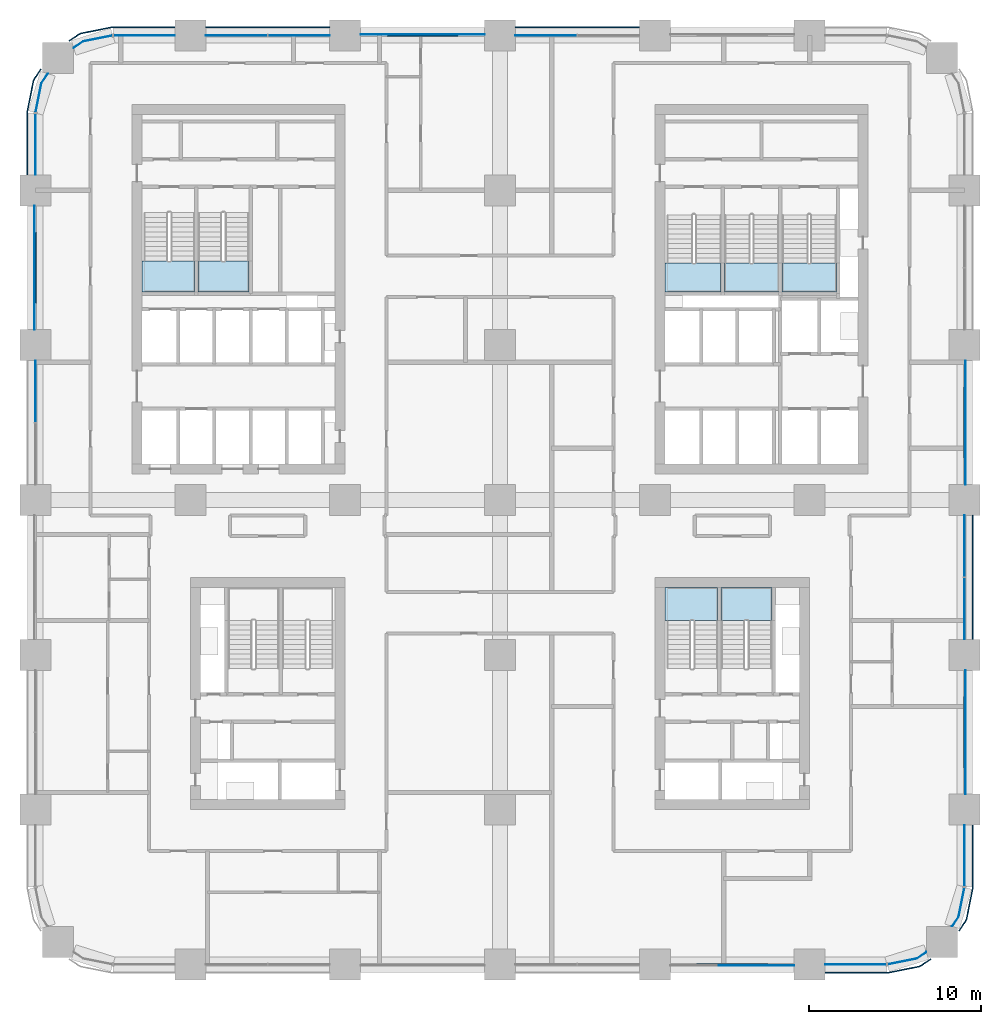
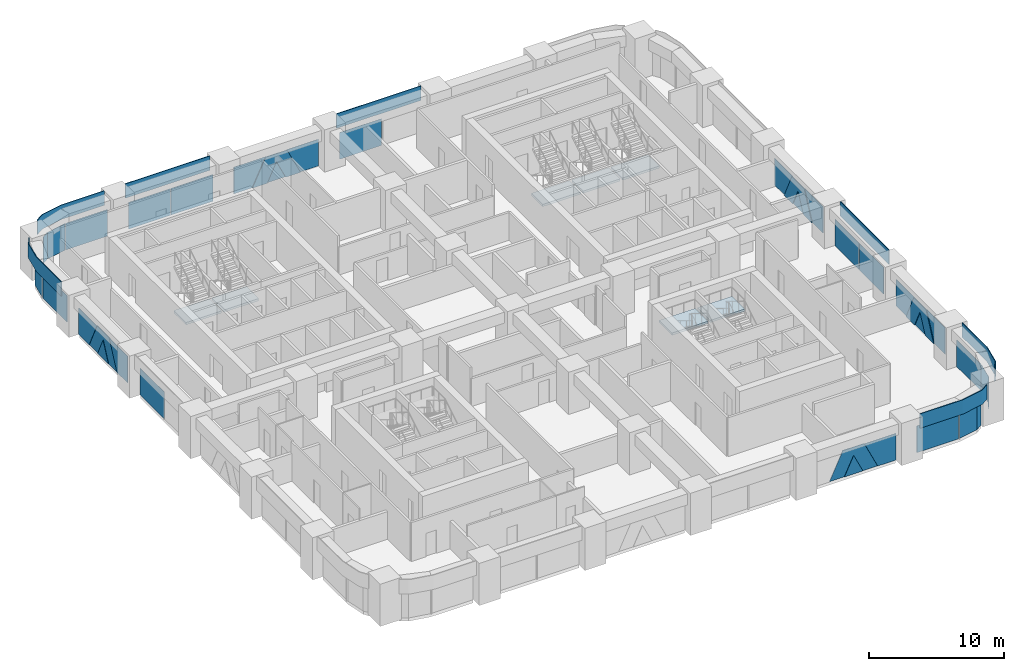
# One storey, part 10 of 21: 40 plates, 7 slabs, 20 elements without a shape of their own.
"""IFC4 building model written with IfcOpenShell, lengths in metres."""

import ifcopenshell
import ifcopenshell.guid

model = None  # the IFC model being written
_history = None  # IfcOwnerHistory: only IFC2X3 demands one
_inside = {}  # id of a spatial element -> (the spatial element, [elements in it])
_under = {}  # id of a project, library or spatial element -> (it, [spatial elements below it])
_declared = {}  # id of a project -> (the project, [libraries it declares])
_typed = {}  # id of a type object -> (the type object, [elements of that type])
_made_of = {}  # id of a material, layer set ... -> (it, [elements and type objects made of it])


def new_model(schema):
    """Start an empty IFC model of exactly this schema.

    Asked for "IFC4X3", IfcOpenShell would pick the latest addendum, in which some entities
    have other attributes; the version numbers below select the first issue.
    IFC2X3 requires an IfcOwnerHistory on every rooted entity: one is made here for all.
    """
    global model, _history
    if schema == "IFC4X3":
        model = ifcopenshell.file(schema_version=(4, 3, 0, 0))
    else:
        model = ifcopenshell.file(schema=schema)
    _inside.clear()
    _under.clear()
    _declared.clear()
    _typed.clear()
    _made_of.clear()
    _history = None
    if model.schema == "IFC2X3":
        org = make("IfcOrganization", Name="unknown")
        user = make(
            "IfcPersonAndOrganization",
            ThePerson=make("IfcPerson", FamilyName="unknown"),
            TheOrganization=org,
        )
        app = make(
            "IfcApplication",
            ApplicationDeveloper=org,
            Version="unknown",
            ApplicationFullName="unknown",
            ApplicationIdentifier="unknown",
        )
        _history = make(
            "IfcOwnerHistory",
            OwningUser=user,
            OwningApplication=app,
            ChangeAction="ADDED",
            CreationDate=0,
        )
    return model


def make(cls, **values):
    """One entity of the class cls with the attributes given. An attribute that is None is left unset."""
    return model.create_entity(
        cls, **{name: value for name, value in values.items() if value is not None}
    )


def rooted(cls, **values):
    """An entity with a GlobalId (a new one), such as an element, a storey or a relation."""
    return make(cls, GlobalId=ifcopenshell.guid.new(), OwnerHistory=_history, **values)


def si_unit(unit_type, name, prefix=None):
    """IfcSIUnit, for example si_unit("LENGTHUNIT", "METRE", prefix="MILLI")."""
    return make("IfcSIUnit", UnitType=unit_type, Prefix=prefix, Name=name)


def assignment(units):
    """IfcUnitAssignment: the units of a project."""
    return None if units is None else make("IfcUnitAssignment", Units=units)


def point(xyz):
    """IfcCartesianPoint."""
    return None if xyz is None else make("IfcCartesianPoint", Coordinates=xyz)


def direction(xyz):
    """IfcDirection."""
    return None if xyz is None else make("IfcDirection", DirectionRatios=xyz)


def frame(location, z_axis=None, x_axis=None):
    """IfcAxis2Placement3D, a coordinate frame: its origin and axes. An axis left out is left unset."""
    return make(
        "IfcAxis2Placement3D",
        Location=point(location),
        Axis=direction(z_axis),
        RefDirection=direction(x_axis),
    )


def frame_2d(location, x_axis=None):
    """IfcAxis2Placement2D, a coordinate frame in the plane: its origin and x axis."""
    return make(
        "IfcAxis2Placement2D", Location=point(location), RefDirection=direction(x_axis)
    )


def origin():
    """The frame at (0, 0, 0) with its axes left unset."""
    return frame((0.0, 0.0, 0.0))


def origin_2d():
    """The frame at (0, 0) in the plane with its x axis left unset."""
    return frame_2d((0.0, 0.0))


def place(relative_to, where):
    """IfcLocalPlacement: puts the frame where relative to a parent placement (None: the world)."""
    return make(
        "IfcLocalPlacement", PlacementRelTo=relative_to, RelativePlacement=where
    )


def context(
    kind, dimensions, precision=None, world=None, true_north=None, identifier=None
):
    """IfcGeometricRepresentationContext, for example the 3D "Model" context."""
    return make(
        "IfcGeometricRepresentationContext",
        ContextIdentifier=identifier,
        ContextType=kind,
        CoordinateSpaceDimension=dimensions,
        Precision=precision,
        WorldCoordinateSystem=world,
        TrueNorth=true_north,
    )


def subcontext(parent, identifier, kind, view, scale=None):
    """IfcGeometricRepresentationSubContext, for example "Body" below "Model"."""
    return make(
        "IfcGeometricRepresentationSubContext",
        ContextIdentifier=identifier,
        ContextType=kind,
        ParentContext=parent,
        TargetScale=scale,
        TargetView=view,
    )


def project(units=None, contexts=None):
    """IfcProject with its units and contexts."""
    return rooted(
        "IfcProject",
        Name="project",
        RepresentationContexts=contexts,
        UnitsInContext=assignment(units),
    )


def spatial(cls, under=None, at=None, **own):
    """A site, building, storey or space (cls), placed at a placement, below another one or the project."""
    s = rooted(cls, ObjectPlacement=at, **own)
    if under is not None:
        _under.setdefault(under.id(), (under, []))[1].append(s)
    return s


def polyline(points):
    """IfcPolyline through the points."""
    return make("IfcPolyline", Points=[point(p) for p in points])


def profile(cls, at=None, kind="AREA", **sizes):
    """A parametric profile (cls). Its sizes go by their IFC names, for example OverallWidth=200.0."""
    return make(cls, ProfileType=kind, Position=at, **sizes)


def rectangle(**sizes):
    """IfcRectangleProfileDef."""
    return profile("IfcRectangleProfileDef", **sizes)


def outline(outer, holes=None, kind="AREA"):
    """IfcArbitraryClosedProfileDef: a profile drawn as a closed curve; with holes, ...WithVoids."""
    if holes is None:
        return make("IfcArbitraryClosedProfileDef", ProfileType=kind, OuterCurve=outer)
    return make(
        "IfcArbitraryProfileDefWithVoids",
        ProfileType=kind,
        OuterCurve=outer,
        InnerCurves=holes,
    )


def extrude(swept, where, along, depth):
    """IfcExtrudedAreaSolid: the profile swept, set in the frame where, extruded along a direction by depth."""
    return make(
        "IfcExtrudedAreaSolid",
        SweptArea=swept,
        Position=where,
        ExtrudedDirection=direction(along),
        Depth=depth,
    )


def shape(context_of_items, identifier, shape_type, items):
    """IfcShapeRepresentation: the items that make up one representation, for example the "Body"."""
    return make(
        "IfcShapeRepresentation",
        ContextOfItems=context_of_items,
        RepresentationIdentifier=identifier,
        RepresentationType=shape_type,
        Items=items,
    )


def material(Name=None, Category=None):
    """IfcMaterial."""
    return make("IfcMaterial", Name=Name, Category=Category)


def layer(
    of_material, thickness, ventilated=None, Name=None, Category=None, Priority=None
):
    """IfcMaterialLayer: one layer of a wall or slab, of a material (None: an air gap)."""
    return make(
        "IfcMaterialLayer",
        Material=of_material,
        LayerThickness=thickness,
        IsVentilated=ventilated,
        Name=Name,
        Category=Category,
        Priority=Priority,
    )


def layer_set(layers, Name=None):
    """IfcMaterialLayerSet."""
    return make("IfcMaterialLayerSet", MaterialLayers=layers, LayerSetName=Name)


def made_of(thing, what):
    """Note that an element or type object is made of a material, layer set ...; save() writes the relation."""
    if what is not None:
        _made_of.setdefault(what.id(), (what, []))[1].append(thing)
    return thing


def type_object(cls, material=None, **own):
    """A type object (cls), such as IfcWallType, which elements share."""
    return made_of(rooted(cls, **own), material)


def element(
    cls,
    number,
    at=None,
    inside=None,
    cuts=None,
    type_object=None,
    material=None,
    context=None,
    identifier="Body",
    shape_type=None,
    held_by="IfcProductDefinitionShape",
    body=None,
    shapes=None,
    **own,
):
    """One element of the class cls, such as IfcWall. Its Tag is "e" and its number.

    at: its placement. inside: the storey or other place that contains it. cuts: it is an
    opening in that element (IfcRelVoidsElement). A single representation is given by context,
    identifier, shape_type and body (its items); several are given by shapes. held_by: the class
    of the entity that holds the representations. save() writes the other relations.
    """
    e = rooted(cls, Tag="e%d" % number, ObjectPlacement=at, **own)
    if body is not None:
        shapes = [shape(context, identifier, shape_type, body)]
    if shapes is not None:
        e.Representation = make(held_by, Representations=shapes)
    if inside is not None:
        _inside.setdefault(inside.id(), (inside, []))[1].append(e)
    if cuts is not None:
        rooted(
            "IfcRelVoidsElement", RelatingBuildingElement=cuts, RelatedOpeningElement=e
        )
    if type_object is not None:
        _typed.setdefault(type_object.id(), (type_object, []))[1].append(e)
    return made_of(e, material)


def aggregate(whole, parts):
    """IfcRelAggregates: a whole, such as a stair, and the parts it consists of."""
    return rooted("IfcRelAggregates", RelatingObject=whole, RelatedObjects=parts)


def save(model, path):
    """Write the relations noted so far, then the file.

    IfcRelAggregates (storeys below a building ...), IfcRelContainedInSpatialStructure (elements
    in a storey), IfcRelDefinesByType, IfcRelAssociatesMaterial and IfcRelDeclares: one each for
    every whole, place, type object, material and project.
    """
    for whole, parts in _under.values():
        aggregate(whole, parts)
    for where, things in _inside.values():
        rooted(
            "IfcRelContainedInSpatialStructure",
            RelatedElements=things,
            RelatingStructure=where,
        )
    for kind, things in _typed.values():
        rooted("IfcRelDefinesByType", RelatedObjects=things, RelatingType=kind)
    for what, things in _made_of.values():
        rooted("IfcRelAssociatesMaterial", RelatedObjects=things, RelatingMaterial=what)
    for by, libraries in _declared.values():
        rooted("IfcRelDeclares", RelatingContext=by, RelatedDefinitions=libraries)
    model.write(path)


model = new_model("IFC4")

# Units and contexts
model_context = context("Model", 3, precision=1e-05, world=origin(), true_north=direction((0.0, 1.0)))
body_context = subcontext(model_context, "Body", "Model", "MODEL_VIEW")
ifc_project = project(units=[si_unit("LENGTHUNIT", "METRE"), si_unit("AREAUNIT", "SQUARE_METRE"), si_unit("VOLUMEUNIT", "CUBIC_METRE"), si_unit("PLANEANGLEUNIT", "RADIAN"), si_unit("MASSUNIT", "GRAM", prefix="KILO")], contexts=[model_context])

# Site, building, storey
site_placement = place(None, origin())
site = spatial("IfcSite", under=ifc_project, at=site_placement, CompositionType="ELEMENT")
building_placement = place(site_placement, origin())
building = spatial("IfcBuilding", under=site, at=building_placement, Name="Tessera Arch", CompositionType="ELEMENT")
storey_placement = place(building_placement, frame((0.0, 0.0, 50.0)))
storey = spatial("IfcBuildingStorey", under=building, at=storey_placement, Name="L10", CompositionType="ELEMENT", Elevation=50.0)

# Curtain wall, plates
ifc_material_1 = material(Name="CW1 curtain wall")
curtain_wall_type_1 = type_object("IfcCurtainWallType", Name="CW1 curtain wall", PredefinedType="NOTDEFINED", material=ifc_material_1)
curtain_wall_1_placement = place(storey_placement, origin())
curtain_wall_1 = element("IfcCurtainWall", 1, at=curtain_wall_1_placement, inside=storey, type_object=curtain_wall_type_1, Name="CW1 curtain wall E54.0/2 L10", PredefinedType="NOTDEFINED")
ifc_material_2 = material(Name="Clear low-e glass", Category="glass")
ifc_material_3 = material(Name="Clear low-e glass", Category="glass")
ifc_layer_1 = layer(ifc_material_3, 0.028076171875)
ifc_layer_set_1 = layer_set([ifc_layer_1], Name="CW1 glass panel")
plate_type_1 = type_object("IfcPlateType", Name="CW1 glass panel", PredefinedType="CURTAIN_PANEL", material=ifc_layer_set_1)
plate_1_placement = place(storey_placement, frame((54.0, 20.68505859375, 0.0), z_axis=(0.0, 0.0, 1.0), x_axis=(0.0, 1.0, 0.0)))
plate_1 = element("IfcPlate", 2, at=plate_1_placement, type_object=plate_type_1, material=ifc_material_2, Name="CW1 glass panel E54.0/2 1.1.1", PredefinedType="CURTAIN_PANEL", context=body_context, shape_type="SweptSolid", body=[
    extrude(rectangle(XDim=3.570068359375, YDim=0.028076171875, at=origin_2d()), origin(), (0.0, 0.0, 1.0), 2.39990234375),
])
plate_2_placement = place(storey_placement, frame((54.0, 24.31494140625, 0.0), z_axis=(0.0, 0.0, 1.0), x_axis=(0.0, 1.0, 0.0)))
plate_2 = element("IfcPlate", 3, at=plate_2_placement, type_object=plate_type_1, material=ifc_material_2, Name="CW1 glass panel E54.0/2 1.2.1", PredefinedType="CURTAIN_PANEL", context=body_context, shape_type="SweptSolid", body=[
    extrude(rectangle(XDim=3.570068359375, YDim=0.028076171875, at=origin_2d()), origin(), (0.0, 0.0, 1.0), 2.39990234375),
])

# Curtain wall, plate
curtain_wall_2_placement = place(storey_placement, origin())
curtain_wall_2 = element("IfcCurtainWall", 4, at=curtain_wall_2_placement, inside=storey, type_object=curtain_wall_type_1, Name="CW1 curtain wall N54.0/2 L10", PredefinedType="NOTDEFINED")
plate_3_placement = place(storey_placement, frame((29.68505859375, 54.0, 0.0), z_axis=(0.0, 0.0, 1.0), x_axis=(-1.0, 0.0, 0.0)))
plate_3 = element("IfcPlate", 5, at=plate_3_placement, type_object=plate_type_1, material=ifc_material_2, Name="CW1 glass panel N54.0/2 1.2.1", PredefinedType="CURTAIN_PANEL", context=body_context, shape_type="SweptSolid", body=[
    extrude(rectangle(XDim=3.570068359375, YDim=0.028076171875, at=origin_2d()), origin(), (0.0, 0.0, 1.0), 2.39990234375),
])

# Curtain wall, plates
curtain_wall_3_placement = place(storey_placement, origin())
curtain_wall_3 = element("IfcCurtainWall", 6, at=curtain_wall_3_placement, inside=storey, type_object=curtain_wall_type_1, Name="CW1 curtain wall N54.0/4 L10", PredefinedType="NOTDEFINED")
plate_4_placement = place(storey_placement, frame((15.31494140625, 54.0, 0.0), z_axis=(0.0, 0.0, 1.0), x_axis=(-1.0, 0.0, 0.0)))
plate_4 = element("IfcPlate", 7, at=plate_4_placement, type_object=plate_type_1, material=ifc_material_2, Name="CW1 glass panel N54.0/4 1.1.1", PredefinedType="CURTAIN_PANEL", context=body_context, shape_type="SweptSolid", body=[
    extrude(rectangle(XDim=3.570068359375, YDim=0.028076171875, at=origin_2d()), origin(), (0.0, 0.0, 1.0), 2.39990234375),
])
plate_5_placement = place(storey_placement, frame((11.68505859375, 54.0, 0.0), z_axis=(0.0, 0.0, 1.0), x_axis=(-1.0, 0.0, 0.0)))
plate_5 = element("IfcPlate", 8, at=plate_5_placement, type_object=plate_type_1, material=ifc_material_2, Name="CW1 glass panel N54.0/4 1.2.1", PredefinedType="CURTAIN_PANEL", context=body_context, shape_type="SweptSolid", body=[
    extrude(rectangle(XDim=3.570068359375, YDim=0.028076171875, at=origin_2d()), origin(), (0.0, 0.0, 1.0), 2.39990234375),
])

# Curtain wall, plate
curtain_wall_4_placement = place(storey_placement, origin())
curtain_wall_4 = element("IfcCurtainWall", 9, at=curtain_wall_4_placement, inside=storey, type_object=curtain_wall_type_1, Name="CW1 curtain wall W0.0/2 L10", PredefinedType="NOTDEFINED")
plate_6_placement = place(storey_placement, frame((0.0, 33.31494140625, 0.0), z_axis=(0.0, 0.0, 1.0), x_axis=(0.0, -1.0, 0.0)))
plate_6 = element("IfcPlate", 10, at=plate_6_placement, type_object=plate_type_1, material=ifc_material_2, Name="CW1 glass panel W0.0/2 1.1.1", PredefinedType="CURTAIN_PANEL", context=body_context, shape_type="SweptSolid", body=[
    extrude(rectangle(XDim=3.570068359375, YDim=0.028076171875, at=origin_2d()), origin(), (0.0, 0.0, 1.0), 2.39990234375),
])
aggregate(curtain_wall_4, [plate_6])

# Plate
ifc_material_4 = material(Name="Pale anodised aluminium panel", Category="aluminium")
ifc_layer_2 = layer(ifc_material_4, 0.06005859375)
ifc_layer_set_2 = layer_set([ifc_layer_2], Name="CW1 spandrel panel")
plate_type_2 = type_object("IfcPlateType", Name="CW1 spandrel panel", PredefinedType="CURTAIN_PANEL", material=ifc_layer_set_2)
plate_7_placement = place(storey_placement, frame((54.47998046875, 22.5, 2.5), z_axis=(0.0, 0.0, 1.0), x_axis=(0.0, 1.0, 0.0)))
plate_7 = element("IfcPlate", 11, at=plate_7_placement, type_object=plate_type_2, Name="CW1 spandrel panel E54.0/2", PredefinedType="CURTAIN_PANEL", context=body_context, shape_type="SweptSolid", body=[
    extrude(rectangle(XDim=7.199951171875, YDim=0.06005859375, at=origin_2d()), origin(), (0.0, 0.0, 1.0), 1.300048828125),
])

aggregate(curtain_wall_1, [plate_1, plate_2, plate_7])

plate_8_placement = place(storey_placement, frame((31.5, 54.47998046875, 2.5), z_axis=(0.0, 0.0, 1.0), x_axis=(-1.0, 0.0, 0.0)))
plate_8 = element("IfcPlate", 12, at=plate_8_placement, type_object=plate_type_2, Name="CW1 spandrel panel N54.0/2", PredefinedType="CURTAIN_PANEL", context=body_context, shape_type="SweptSolid", body=[
    extrude(rectangle(XDim=7.199951171875, YDim=0.06005859375, at=origin_2d()), origin(), (0.0, 0.0, 1.0), 1.300048828125),
])

aggregate(curtain_wall_2, [plate_3, plate_8])

plate_9_placement = place(storey_placement, frame((13.5, 54.47998046875, 2.5), z_axis=(0.0, 0.0, 1.0), x_axis=(-1.0, 0.0, 0.0)))
plate_9 = element("IfcPlate", 13, at=plate_9_placement, type_object=plate_type_2, Name="CW1 spandrel panel N54.0/4", PredefinedType="CURTAIN_PANEL", context=body_context, shape_type="SweptSolid", body=[
    extrude(rectangle(XDim=7.199951171875, YDim=0.06005859375, at=origin_2d()), origin(), (0.0, 0.0, 1.0), 1.300048828125),
])

aggregate(curtain_wall_3, [plate_4, plate_5, plate_9])

# Curtain wall, plates
ifc_material_5 = material(Name="CW2 curtain wall")
curtain_wall_type_2 = type_object("IfcCurtainWallType", Name="CW2 curtain wall", PredefinedType="NOTDEFINED", material=ifc_material_5)
curtain_wall_5_placement = place(storey_placement, origin())
curtain_wall_5 = element("IfcCurtainWall", 14, at=curtain_wall_5_placement, inside=storey, type_object=curtain_wall_type_2, Name="CW2 curtain wall S0.0/4 L10", PredefinedType="NOTDEFINED")
ifc_material_6 = material(Name="Clear low-e glass", Category="glass")
ifc_layer_3 = layer(ifc_material_6, 0.028076171875)
ifc_layer_set_3 = layer_set([ifc_layer_3], Name="CW2 glass panel")
plate_type_3 = type_object("IfcPlateType", Name="CW2 glass panel", PredefinedType="CURTAIN_PANEL", material=ifc_layer_set_3)
plate_10_placement = place(storey_placement, frame((47.679931640625, 0.0, 0.0), z_axis=(0.0, 0.0, 1.0), x_axis=(1.0, 0.0, 0.0)))
plate_10 = element("IfcPlate", 15, at=plate_10_placement, type_object=plate_type_3, material=ifc_material_2, Name="CW2 glass panel S0.0/4 1.1", PredefinedType="CURTAIN_PANEL", context=body_context, shape_type="SweptSolid", body=[
    extrude(rectangle(XDim=3.56005859375, YDim=0.028076171875, at=origin_2d()), origin(), (0.0, 0.0, 1.0), 2.39990234375),
])
plate_11_placement = place(storey_placement, origin())
plate_11 = element("IfcPlate", 16, at=plate_11_placement, type_object=plate_type_3, material=ifc_material_2, Name="CW2 curved glass panel S0.0/4 2.1", PredefinedType="CURTAIN_PANEL", context=body_context, shape_type="SweptSolid", body=[
    extrude(outline(polyline([(51.216552734375, 0.355712890625), (49.53662109375, 0.021484375), (49.5419921875, -0.005859375), (51.2275390625, 0.329345703125), (51.789794921875, 0.705078125), (51.774169921875, 0.728271484375), (51.216552734375, 0.355712890625)])), origin(), (0.0, 0.0, 1.0), 2.39990234375),
])

curtain_wall_6_placement = place(storey_placement, origin())
curtain_wall_6 = element("IfcCurtainWall", 17, at=curtain_wall_6_placement, inside=storey, type_object=curtain_wall_type_2, Name="CW2 curtain wall E54.0/0 L10", PredefinedType="NOTDEFINED")
plate_12_placement = place(storey_placement, frame((54.0, 6.320068359375, 0.0), z_axis=(0.0, 0.0, 1.0), x_axis=(0.0, 1.0, 0.0)))
plate_12 = element("IfcPlate", 18, at=plate_12_placement, type_object=plate_type_3, material=ifc_material_2, Name="CW2 glass panel E54.0/0 1.1", PredefinedType="CURTAIN_PANEL", context=body_context, shape_type="SweptSolid", body=[
    extrude(rectangle(XDim=3.56005859375, YDim=0.028076171875, at=origin_2d()), origin(), (0.0, 0.0, 1.0), 2.39990234375),
])
plate_13_placement = place(storey_placement, origin())
plate_13 = element("IfcPlate", 19, at=plate_13_placement, type_object=plate_type_3, material=ifc_material_2, Name="CW2 curved glass panel E54.0/0 2.1", PredefinedType="CURTAIN_PANEL", context=body_context, shape_type="SweptSolid", body=[
    extrude(outline(polyline([(53.644287109375, 2.783447265625), (53.271728515625, 2.225830078125), (53.294921875, 2.210205078125), (53.670654296875, 2.7724609375), (54.005859375, 4.4580078125), (53.978515625, 4.46337890625), (53.644287109375, 2.783447265625)])), origin(), (0.0, 0.0, 1.0), 2.39990234375),
])

curtain_wall_7_placement = place(storey_placement, origin())
curtain_wall_7 = element("IfcCurtainWall", 20, at=curtain_wall_7_placement, inside=storey, type_object=curtain_wall_type_2, Name="CW2 curtain wall N54.0/5 L10", PredefinedType="NOTDEFINED")
plate_14_placement = place(storey_placement, frame((6.320068359375, 54.0, 0.0), z_axis=(0.0, 0.0, 1.0), x_axis=(-1.0, 0.0, 0.0)))
plate_14 = element("IfcPlate", 21, at=plate_14_placement, type_object=plate_type_3, material=ifc_material_2, Name="CW2 glass panel N54.0/5 1.1", PredefinedType="CURTAIN_PANEL", context=body_context, shape_type="SweptSolid", body=[
    extrude(rectangle(XDim=3.56005859375, YDim=0.028076171875, at=origin_2d()), origin(), (0.0, 0.0, 1.0), 2.39990234375),
])
plate_15_placement = place(storey_placement, origin())
plate_15 = element("IfcPlate", 22, at=plate_15_placement, type_object=plate_type_3, material=ifc_material_2, Name="CW2 curved glass panel N54.0/5 2.1", PredefinedType="CURTAIN_PANEL", context=body_context, shape_type="SweptSolid", body=[
    extrude(outline(polyline([(2.783447265625, 53.644287109375), (4.46337890625, 53.978515625), (4.4580078125, 54.005859375), (2.7724609375, 53.670654296875), (2.210205078125, 53.294921875), (2.225830078125, 53.271728515625), (2.783447265625, 53.644287109375)])), origin(), (0.0, 0.0, 1.0), 2.39990234375),
])

curtain_wall_8_placement = place(storey_placement, origin())
curtain_wall_8 = element("IfcCurtainWall", 23, at=curtain_wall_8_placement, inside=storey, type_object=curtain_wall_type_2, Name="CW2 curtain wall W0.0/0 L10", PredefinedType="NOTDEFINED")
plate_16_placement = place(storey_placement, frame((0.0, 47.679931640625, 0.0), z_axis=(0.0, 0.0, 1.0), x_axis=(0.0, -1.0, 0.0)))
plate_16 = element("IfcPlate", 24, at=plate_16_placement, type_object=plate_type_3, material=ifc_material_2, Name="CW2 glass panel W0.0/0 1.1", PredefinedType="CURTAIN_PANEL", context=body_context, shape_type="SweptSolid", body=[
    extrude(rectangle(XDim=3.56005859375, YDim=0.028076171875, at=origin_2d()), origin(), (0.0, 0.0, 1.0), 2.39990234375),
])
plate_17_placement = place(storey_placement, origin())
plate_17 = element("IfcPlate", 25, at=plate_17_placement, type_object=plate_type_3, material=ifc_material_2, Name="CW2 curved glass panel W0.0/0 2.1", PredefinedType="CURTAIN_PANEL", context=body_context, shape_type="SweptSolid", body=[
    extrude(outline(polyline([(0.355712890625, 51.216552734375), (0.728271484375, 51.774169921875), (0.705078125, 51.789794921875), (0.329345703125, 51.2275390625), (-0.005859375, 49.5419921875), (0.021484375, 49.53662109375), (0.355712890625, 51.216552734375)])), origin(), (0.0, 0.0, 1.0), 2.39990234375),
])

# Plate
ifc_material_7 = material(Name="Pale anodised aluminium panel", Category="aluminium")
ifc_layer_4 = layer(ifc_material_7, 0.06005859375)
ifc_layer_set_4 = layer_set([ifc_layer_4], Name="CW2 spandrel panel")
plate_type_4 = type_object("IfcPlateType", Name="CW2 spandrel panel", PredefinedType="CURTAIN_PANEL", material=ifc_layer_set_4)
plate_18_placement = place(storey_placement, frame((0.0, 0.0, 2.5)))
plate_18 = element("IfcPlate", 26, at=plate_18_placement, type_object=plate_type_4, Name="CW2 spandrel panel S0.0/4", PredefinedType="CURTAIN_PANEL", context=body_context, shape_type="SweptSolid", body=[
    extrude(outline(polyline([(49.499267578125, -0.449951171875), (45.89990234375, -0.449951171875), (45.89990234375, -0.510009765625), (49.500732421875, -0.510009765625), (49.550048828125, -0.507568359375), (49.598876953125, -0.500244140625), (51.322265625, -0.157470703125), (51.3701171875, -0.1455078125), (51.417236328125, -0.128662109375), (51.462646484375, -0.107177734375), (51.5048828125, -0.08203125), (52.0654296875, 0.292724609375), (52.031982421875, 0.342529296875), (51.47265625, -0.03125), (51.434326171875, -0.05419921875), (51.394287109375, -0.0732421875), (51.352783203125, -0.088134765625), (51.30908203125, -0.09912109375), (49.588623046875, -0.441162109375), (49.544189453125, -0.44775390625), (49.499267578125, -0.449951171875)])), origin(), (0.0, 0.0, 1.0), 1.300048828125),
])

aggregate(curtain_wall_5, [plate_10, plate_11, plate_18])

plate_19_placement = place(storey_placement, frame((0.0, 0.0, 2.5)))
plate_19 = element("IfcPlate", 27, at=plate_19_placement, type_object=plate_type_4, Name="CW2 spandrel panel E54.0/0", PredefinedType="CURTAIN_PANEL", context=body_context, shape_type="SweptSolid", body=[
    extrude(outline(polyline([(54.03125, 2.52734375), (53.657470703125, 1.968017578125), (53.707275390625, 1.9345703125), (54.08203125, 2.4951171875), (54.107177734375, 2.537353515625), (54.128662109375, 2.582763671875), (54.1455078125, 2.6298828125), (54.157470703125, 2.677734375), (54.500244140625, 4.401123046875), (54.507568359375, 4.449951171875), (54.510009765625, 4.499267578125), (54.510009765625, 8.10009765625), (54.449951171875, 8.10009765625), (54.449951171875, 4.500732421875), (54.44775390625, 4.455810546875), (54.441162109375, 4.411376953125), (54.09912109375, 2.69091796875), (54.088134765625, 2.647216796875), (54.0732421875, 2.605712890625), (54.05419921875, 2.565673828125), (54.03125, 2.52734375)])), origin(), (0.0, 0.0, 1.0), 1.300048828125),
])

aggregate(curtain_wall_6, [plate_12, plate_13, plate_19])

plate_20_placement = place(storey_placement, frame((0.0, 0.0, 2.5)))
plate_20 = element("IfcPlate", 28, at=plate_20_placement, type_object=plate_type_4, Name="CW2 spandrel panel N54.0/5", PredefinedType="CURTAIN_PANEL", context=body_context, shape_type="SweptSolid", body=[
    extrude(outline(polyline([(4.500732421875, 54.449951171875), (8.10009765625, 54.449951171875), (8.10009765625, 54.510009765625), (4.499267578125, 54.510009765625), (4.449951171875, 54.507568359375), (4.401123046875, 54.500244140625), (2.677734375, 54.157470703125), (2.6298828125, 54.1455078125), (2.582763671875, 54.128662109375), (2.537353515625, 54.107177734375), (2.4951171875, 54.08203125), (1.9345703125, 53.707275390625), (1.968017578125, 53.657470703125), (2.52734375, 54.03125), (2.565673828125, 54.05419921875), (2.605712890625, 54.0732421875), (2.647216796875, 54.088134765625), (2.69091796875, 54.09912109375), (4.411376953125, 54.441162109375), (4.455810546875, 54.44775390625), (4.500732421875, 54.449951171875)])), origin(), (0.0, 0.0, 1.0), 1.300048828125),
])

aggregate(curtain_wall_7, [plate_14, plate_15, plate_20])

plate_21_placement = place(storey_placement, frame((0.0, 0.0, 2.5)))
plate_21 = element("IfcPlate", 29, at=plate_21_placement, type_object=plate_type_4, Name="CW2 spandrel panel W0.0/0", PredefinedType="CURTAIN_PANEL", context=body_context, shape_type="SweptSolid", body=[
    extrude(outline(polyline([(-0.03125, 51.47265625), (0.342529296875, 52.031982421875), (0.292724609375, 52.0654296875), (-0.08203125, 51.5048828125), (-0.107177734375, 51.462646484375), (-0.128662109375, 51.417236328125), (-0.1455078125, 51.3701171875), (-0.157470703125, 51.322265625), (-0.500244140625, 49.598876953125), (-0.507568359375, 49.550048828125), (-0.510009765625, 49.500732421875), (-0.510009765625, 45.89990234375), (-0.449951171875, 45.89990234375), (-0.449951171875, 49.499267578125), (-0.44775390625, 49.544189453125), (-0.441162109375, 49.588623046875), (-0.09912109375, 51.30908203125), (-0.088134765625, 51.352783203125), (-0.0732421875, 51.394287109375), (-0.05419921875, 51.434326171875), (-0.03125, 51.47265625)])), origin(), (0.0, 0.0, 1.0), 1.300048828125),
])

aggregate(curtain_wall_8, [plate_16, plate_17, plate_21])

# Curtain wall, plate
ifc_material_8 = material(Name="CW3 curtain wall")
curtain_wall_type_3 = type_object("IfcCurtainWallType", Name="CW3 curtain wall", PredefinedType="NOTDEFINED", material=ifc_material_8)
curtain_wall_9_placement = place(storey_placement, origin())
curtain_wall_9 = element("IfcCurtainWall", 30, at=curtain_wall_9_placement, inside=storey, type_object=curtain_wall_type_3, Name="CW3 curtain wall S0.0/3 L10", PredefinedType="NOTDEFINED")
ifc_material_9 = material(Name="Pale anodised aluminium panel", Category="aluminium")
ifc_layer_5 = layer(ifc_material_9, 0.06005859375)
ifc_layer_set_5 = layer_set([ifc_layer_5], Name="CW3 diagonal panel")
plate_type_5 = type_object("IfcPlateType", Name="CW3 diagonal panel", PredefinedType="CURTAIN_PANEL", material=ifc_layer_set_5)
plate_22_placement = place(storey_placement, frame((41.41259765625, -0.030029296875, 2.39990234375), z_axis=(0.0, -1.0, 0.0), x_axis=(-1.0, 0.0, 0.0)))
plate_22 = element("IfcPlate", 31, at=plate_22_placement, type_object=plate_type_5, Name="CW3 diagonal panel S0.0/3 1", PredefinedType="CURTAIN_PANEL", context=body_context, shape_type="SweptSolid", body=[
    extrude(outline(polyline([(0.0, 0.0), (1.8251953125, 0.0), (2.962158203125, 2.39990234375), (1.705078125, 2.39990234375), (0.91259765625, 0.726806640625), (0.1201171875, 2.39990234375), (-1.136962890625, 2.39990234375), (0.0, 0.0)])), origin(), (0.0, 0.0, -1.0), 0.06005859375),
])

curtain_wall_10_placement = place(storey_placement, origin())
curtain_wall_10 = element("IfcCurtainWall", 32, at=curtain_wall_10_placement, inside=storey, type_object=curtain_wall_type_3, Name="CW3 curtain wall E54.0/1 L10", PredefinedType="NOTDEFINED")
plate_23_placement = place(storey_placement, frame((54.030029296875, 14.41259765625, 2.39990234375), z_axis=(1.0, 0.0, 0.0), x_axis=(0.0, -1.0, 0.0)))
plate_23 = element("IfcPlate", 33, at=plate_23_placement, type_object=plate_type_5, Name="CW3 diagonal panel E54.0/1 1", PredefinedType="CURTAIN_PANEL", context=body_context, shape_type="SweptSolid", body=[
    extrude(outline(polyline([(0.0, 0.0), (1.8251953125, 0.0), (2.962158203125, 2.39990234375), (1.705078125, 2.39990234375), (0.91259765625, 0.726806640625), (0.1201171875, 2.39990234375), (-1.136962890625, 2.39990234375), (0.0, 0.0)])), origin(), (0.0, 0.0, -1.0), 0.06005859375),
])

curtain_wall_11_placement = place(storey_placement, origin())
curtain_wall_11 = element("IfcCurtainWall", 34, at=curtain_wall_11_placement, inside=storey, type_object=curtain_wall_type_3, Name="CW3 curtain wall E54.0/3 L10", PredefinedType="NOTDEFINED")
plate_24_placement = place(storey_placement, frame((54.030029296875, 32.41259765625, 2.39990234375), z_axis=(1.0, 0.0, 0.0), x_axis=(0.0, -1.0, 0.0)))
plate_24 = element("IfcPlate", 35, at=plate_24_placement, type_object=plate_type_5, Name="CW3 diagonal panel E54.0/3 1", PredefinedType="CURTAIN_PANEL", context=body_context, shape_type="SweptSolid", body=[
    extrude(outline(polyline([(0.0, 0.0), (1.8251953125, 0.0), (2.962158203125, 2.39990234375), (1.705078125, 2.39990234375), (0.91259765625, 0.726806640625), (0.1201171875, 2.39990234375), (-1.136962890625, 2.39990234375), (0.0, 0.0)])), origin(), (0.0, 0.0, -1.0), 0.06005859375),
])

curtain_wall_12_placement = place(storey_placement, origin())
curtain_wall_12 = element("IfcCurtainWall", 36, at=curtain_wall_12_placement, inside=storey, type_object=curtain_wall_type_3, Name="CW3 curtain wall N54.0/3 L10", PredefinedType="NOTDEFINED")
plate_25_placement = place(storey_placement, frame((21.58740234375, 54.030029296875, 2.39990234375), z_axis=(0.0, 1.0, 0.0), x_axis=(1.0, 0.0, 0.0)))
plate_25 = element("IfcPlate", 37, at=plate_25_placement, type_object=plate_type_5, Name="CW3 diagonal panel N54.0/3 1", PredefinedType="CURTAIN_PANEL", context=body_context, shape_type="SweptSolid", body=[
    extrude(outline(polyline([(0.0, 0.0), (1.8251953125, 0.0), (2.962158203125, 2.39990234375), (1.705078125, 2.39990234375), (0.91259765625, 0.726806640625), (0.1201171875, 2.39990234375), (-1.136962890625, 2.39990234375), (0.0, 0.0)])), origin(), (0.0, 0.0, -1.0), 0.06005859375),
])

curtain_wall_13_placement = place(storey_placement, origin())
curtain_wall_13 = element("IfcCurtainWall", 38, at=curtain_wall_13_placement, inside=storey, type_object=curtain_wall_type_3, Name="CW3 curtain wall W0.0/1 L10", PredefinedType="NOTDEFINED")
plate_26_placement = place(storey_placement, frame((-0.030029296875, 39.58740234375, 2.39990234375), z_axis=(-1.0, 0.0, 0.0), x_axis=(0.0, 1.0, 0.0)))
plate_26 = element("IfcPlate", 39, at=plate_26_placement, type_object=plate_type_5, Name="CW3 diagonal panel W0.0/1 1", PredefinedType="CURTAIN_PANEL", context=body_context, shape_type="SweptSolid", body=[
    extrude(outline(polyline([(0.0, 0.0), (1.8251953125, 0.0), (2.962158203125, 2.39990234375), (1.705078125, 2.39990234375), (0.91259765625, 0.726806640625), (0.1201171875, 2.39990234375), (-1.136962890625, 2.39990234375), (0.0, 0.0)])), origin(), (0.0, 0.0, -1.0), 0.06005859375),
])

# Plate
ifc_material_10 = material(Name="Clear low-e glass", Category="glass")
ifc_layer_6 = layer(ifc_material_10, 0.028076171875)
ifc_layer_set_6 = layer_set([ifc_layer_6], Name="CW3 glass panel")
plate_type_6 = type_object("IfcPlateType", Name="CW3 glass panel", PredefinedType="CURTAIN_PANEL", material=ifc_layer_set_6)
plate_27_placement = place(storey_placement, frame((39.70751953125, -0.05810546875, 0.0), z_axis=(0.0, -1.0, 0.0), x_axis=(1.0, 0.0, 0.0)))
plate_27 = element("IfcPlate", 40, at=plate_27_placement, type_object=plate_type_6, material=ifc_material_2, Name="CW3 triangulated glass panel S0.0/3 2", PredefinedType="CURTAIN_PANEL", context=body_context, shape_type="SweptSolid", body=[
    extrude(outline(polyline([(0.0, 0.0), (1.5849609375, 0.0), (0.79248046875, 1.673095703125), (0.0, 0.0)])), origin(), (0.0, 0.0, -1.0), 0.028076171875),
])

plate_28_placement = place(storey_placement, frame((44.10009765625, -0.05810546875, 2.39990234375), z_axis=(0.0, -1.0, 0.0), x_axis=(-1.0, 0.0, 0.0)))
plate_28 = element("IfcPlate", 41, at=plate_28_placement, type_object=plate_type_6, material=ifc_material_2, Name="CW3 triangulated glass panel S0.0/3 3", PredefinedType="CURTAIN_PANEL", context=body_context, shape_type="SweptSolid", body=[
    extrude(outline(polyline([(0.0, 0.0), (2.6875, 0.0), (1.550537109375, 2.39990234375), (0.0, 2.39990234375), (0.0, 0.0)])), origin(), (0.0, 0.0, -1.0), 0.028076171875),
])

aggregate(curtain_wall_9, [plate_27, plate_28, plate_22])

plate_29_placement = place(storey_placement, frame((54.05810546875, 9.89990234375, 0.0), z_axis=(1.0, 0.0, 0.0), x_axis=(0.0, 1.0, 0.0)))
plate_29 = element("IfcPlate", 42, at=plate_29_placement, type_object=plate_type_6, material=ifc_material_2, Name="CW3 triangulated glass panel E54.0/1 1", PredefinedType="CURTAIN_PANEL", context=body_context, shape_type="SweptSolid", body=[
    extrude(outline(polyline([(0.0, 0.0), (1.550537109375, 0.0), (2.6875, 2.39990234375), (0.0, 2.39990234375), (0.0, 0.0)])), origin(), (0.0, 0.0, -1.0), 0.028076171875),
])

plate_30_placement = place(storey_placement, frame((54.05810546875, 12.70751953125, 0.0), z_axis=(1.0, 0.0, 0.0), x_axis=(0.0, 1.0, 0.0)))
plate_30 = element("IfcPlate", 43, at=plate_30_placement, type_object=plate_type_6, material=ifc_material_2, Name="CW3 triangulated glass panel E54.0/1 2", PredefinedType="CURTAIN_PANEL", context=body_context, shape_type="SweptSolid", body=[
    extrude(outline(polyline([(0.0, 0.0), (1.5849609375, 0.0), (0.79248046875, 1.673095703125), (0.0, 0.0)])), origin(), (0.0, 0.0, -1.0), 0.028076171875),
])

plate_31_placement = place(storey_placement, frame((54.05810546875, 17.10009765625, 2.39990234375), z_axis=(1.0, 0.0, 0.0), x_axis=(0.0, -1.0, 0.0)))
plate_31 = element("IfcPlate", 44, at=plate_31_placement, type_object=plate_type_6, material=ifc_material_2, Name="CW3 triangulated glass panel E54.0/1 3", PredefinedType="CURTAIN_PANEL", context=body_context, shape_type="SweptSolid", body=[
    extrude(outline(polyline([(0.0, 0.0), (2.6875, 0.0), (1.550537109375, 2.39990234375), (0.0, 2.39990234375), (0.0, 0.0)])), origin(), (0.0, 0.0, -1.0), 0.028076171875),
])

aggregate(curtain_wall_10, [plate_29, plate_30, plate_31, plate_23])

plate_32_placement = place(storey_placement, frame((54.05810546875, 27.89990234375, 0.0), z_axis=(1.0, 0.0, 0.0), x_axis=(0.0, 1.0, 0.0)))
plate_32 = element("IfcPlate", 45, at=plate_32_placement, type_object=plate_type_6, material=ifc_material_2, Name="CW3 triangulated glass panel E54.0/3 1", PredefinedType="CURTAIN_PANEL", context=body_context, shape_type="SweptSolid", body=[
    extrude(outline(polyline([(0.0, 0.0), (1.550537109375, 0.0), (2.6875, 2.39990234375), (0.0, 2.39990234375), (0.0, 0.0)])), origin(), (0.0, 0.0, -1.0), 0.028076171875),
])

plate_33_placement = place(storey_placement, frame((54.05810546875, 30.70751953125, 0.0), z_axis=(1.0, 0.0, 0.0), x_axis=(0.0, 1.0, 0.0)))
plate_33 = element("IfcPlate", 46, at=plate_33_placement, type_object=plate_type_6, material=ifc_material_2, Name="CW3 triangulated glass panel E54.0/3 2", PredefinedType="CURTAIN_PANEL", context=body_context, shape_type="SweptSolid", body=[
    extrude(outline(polyline([(0.0, 0.0), (1.5849609375, 0.0), (0.79248046875, 1.673095703125), (0.0, 0.0)])), origin(), (0.0, 0.0, -1.0), 0.028076171875),
])

plate_34_placement = place(storey_placement, frame((54.05810546875, 35.10009765625, 2.39990234375), z_axis=(1.0, 0.0, 0.0), x_axis=(0.0, -1.0, 0.0)))
plate_34 = element("IfcPlate", 47, at=plate_34_placement, type_object=plate_type_6, material=ifc_material_2, Name="CW3 triangulated glass panel E54.0/3 3", PredefinedType="CURTAIN_PANEL", context=body_context, shape_type="SweptSolid", body=[
    extrude(outline(polyline([(0.0, 0.0), (2.6875, 0.0), (1.550537109375, 2.39990234375), (0.0, 2.39990234375), (0.0, 0.0)])), origin(), (0.0, 0.0, -1.0), 0.028076171875),
])

aggregate(curtain_wall_11, [plate_32, plate_33, plate_34, plate_24])

plate_35_placement = place(storey_placement, frame((26.10009765625, 54.05810546875, 0.0), z_axis=(0.0, 1.0, 0.0), x_axis=(-1.0, 0.0, 0.0)))
plate_35 = element("IfcPlate", 48, at=plate_35_placement, type_object=plate_type_6, material=ifc_material_2, Name="CW3 triangulated glass panel N54.0/3 1", PredefinedType="CURTAIN_PANEL", context=body_context, shape_type="SweptSolid", body=[
    extrude(outline(polyline([(0.0, 0.0), (1.550537109375, 0.0), (2.6875, 2.39990234375), (0.0, 2.39990234375), (0.0, 0.0)])), origin(), (0.0, 0.0, -1.0), 0.028076171875),
])

plate_36_placement = place(storey_placement, frame((23.29248046875, 54.05810546875, 0.0), z_axis=(0.0, 1.0, 0.0), x_axis=(-1.0, 0.0, 0.0)))
plate_36 = element("IfcPlate", 49, at=plate_36_placement, type_object=plate_type_6, material=ifc_material_2, Name="CW3 triangulated glass panel N54.0/3 2", PredefinedType="CURTAIN_PANEL", context=body_context, shape_type="SweptSolid", body=[
    extrude(outline(polyline([(0.0, 0.0), (1.5849609375, 0.0), (0.79248046875, 1.673095703125), (0.0, 0.0)])), origin(), (0.0, 0.0, -1.0), 0.028076171875),
])

plate_37_placement = place(storey_placement, frame((18.89990234375, 54.05810546875, 2.39990234375), z_axis=(0.0, 1.0, 0.0), x_axis=(1.0, 0.0, 0.0)))
plate_37 = element("IfcPlate", 50, at=plate_37_placement, type_object=plate_type_6, material=ifc_material_2, Name="CW3 triangulated glass panel N54.0/3 3", PredefinedType="CURTAIN_PANEL", context=body_context, shape_type="SweptSolid", body=[
    extrude(outline(polyline([(0.0, 0.0), (2.6875, 0.0), (1.550537109375, 2.39990234375), (0.0, 2.39990234375), (0.0, 0.0)])), origin(), (0.0, 0.0, -1.0), 0.028076171875),
])

aggregate(curtain_wall_12, [plate_35, plate_36, plate_37, plate_25])

plate_38_placement = place(storey_placement, frame((-0.05810546875, 44.10009765625, 0.0), z_axis=(-1.0, 0.0, 0.0), x_axis=(0.0, -1.0, 0.0)))
plate_38 = element("IfcPlate", 51, at=plate_38_placement, type_object=plate_type_6, material=ifc_material_2, Name="CW3 triangulated glass panel W0.0/1 1", PredefinedType="CURTAIN_PANEL", context=body_context, shape_type="SweptSolid", body=[
    extrude(outline(polyline([(0.0, 0.0), (1.550537109375, 0.0), (2.6875, 2.39990234375), (0.0, 2.39990234375), (0.0, 0.0)])), origin(), (0.0, 0.0, -1.0), 0.028076171875),
])

plate_39_placement = place(storey_placement, frame((-0.05810546875, 41.29248046875, 0.0), z_axis=(-1.0, 0.0, 0.0), x_axis=(0.0, -1.0, 0.0)))
plate_39 = element("IfcPlate", 52, at=plate_39_placement, type_object=plate_type_6, material=ifc_material_2, Name="CW3 triangulated glass panel W0.0/1 2", PredefinedType="CURTAIN_PANEL", context=body_context, shape_type="SweptSolid", body=[
    extrude(outline(polyline([(0.0, 0.0), (1.5849609375, 0.0), (0.79248046875, 1.673095703125), (0.0, 0.0)])), origin(), (0.0, 0.0, -1.0), 0.028076171875),
])

plate_40_placement = place(storey_placement, frame((-0.05810546875, 36.89990234375, 2.39990234375), z_axis=(-1.0, 0.0, 0.0), x_axis=(0.0, 1.0, 0.0)))
plate_40 = element("IfcPlate", 53, at=plate_40_placement, type_object=plate_type_6, material=ifc_material_2, Name="CW3 triangulated glass panel W0.0/1 3", PredefinedType="CURTAIN_PANEL", context=body_context, shape_type="SweptSolid", body=[
    extrude(outline(polyline([(0.0, 0.0), (2.6875, 0.0), (1.550537109375, 2.39990234375), (0.0, 2.39990234375), (0.0, 0.0)])), origin(), (0.0, 0.0, -1.0), 0.028076171875),
])

aggregate(curtain_wall_13, [plate_38, plate_39, plate_40, plate_26])

# Stair, slab
ifc_material_11 = material(Name="Concrete C40/50", Category="concrete")
stair_type_1 = type_object("IfcStairType", Name="Dogleg stair 1520", PredefinedType="HALF_TURN_STAIR", material=ifc_material_11)
stair_1_placement = place(storey_placement, origin())
stair_1 = element("IfcStair", 54, at=stair_1_placement, inside=storey, type_object=stair_type_1, Name="L10 S1a", PredefinedType="HALF_TURN_STAIR")
ifc_material_12 = material(Name="Concrete C40/50", Category="concrete")
ifc_layer_7 = layer(ifc_material_12, 0.300048828125)
ifc_layer_set_7 = layer_set([ifc_layer_7], Name="Stair landing 300")
slab_type = type_object("IfcSlabType", Name="Stair landing 300", PredefinedType="LANDING", material=ifc_layer_set_7)
slab_1_placement = place(storey_placement, frame((0.0, 0.0, 1.699951171875)))
slab_1 = element("IfcSlab", 55, at=slab_1_placement, type_object=slab_type, Name="S1a landing 1", PredefinedType="LANDING", context=body_context, shape_type="SweptSolid", body=[
    extrude(outline(polyline([(36.60009765625, 40.780029296875), (36.60009765625, 39.10009765625), (39.85009765625, 39.10009765625), (39.85009765625, 40.780029296875), (36.60009765625, 40.780029296875)])), origin(), (0.0, 0.0, 1.0), 0.199951171875),
])
aggregate(stair_1, [slab_1])

stair_2_placement = place(storey_placement, origin())
stair_2 = element("IfcStair", 56, at=stair_2_placement, inside=storey, type_object=stair_type_1, Name="L10 S1b", PredefinedType="HALF_TURN_STAIR")
slab_2_placement = place(storey_placement, frame((0.0, 0.0, 1.699951171875)))
slab_2 = element("IfcSlab", 57, at=slab_2_placement, type_object=slab_type, Name="S1b landing 1", PredefinedType="LANDING", context=body_context, shape_type="SweptSolid", body=[
    extrude(outline(polyline([(40.050048828125, 40.780029296875), (40.050048828125, 39.10009765625), (43.199951171875, 39.10009765625), (43.199951171875, 40.780029296875), (40.050048828125, 40.780029296875)])), origin(), (0.0, 0.0, 1.0), 0.199951171875),
])
aggregate(stair_2, [slab_2])

stair_3_placement = place(storey_placement, origin())
stair_3 = element("IfcStair", 58, at=stair_3_placement, inside=storey, type_object=stair_type_1, Name="L10 S1c", PredefinedType="HALF_TURN_STAIR")
slab_3_placement = place(storey_placement, frame((0.0, 0.0, 1.699951171875)))
slab_3 = element("IfcSlab", 59, at=slab_3_placement, type_object=slab_type, Name="S1c landing 1", PredefinedType="LANDING", context=body_context, shape_type="SweptSolid", body=[
    extrude(outline(polyline([(43.39990234375, 40.780029296875), (43.39990234375, 39.10009765625), (46.550048828125, 39.10009765625), (46.550048828125, 40.780029296875), (43.39990234375, 40.780029296875)])), origin(), (0.0, 0.0, 1.0), 0.199951171875),
])
aggregate(stair_3, [slab_3])

ifc_material_13 = material(Name="Concrete C40/50", Category="concrete")
stair_type_2 = type_object("IfcStairType", Name="Dogleg stair 1400", PredefinedType="HALF_TURN_STAIR", material=ifc_material_13)
stair_4_placement = place(storey_placement, origin())
stair_4 = element("IfcStair", 60, at=stair_4_placement, inside=storey, type_object=stair_type_2, Name="L10 S2a", PredefinedType="HALF_TURN_STAIR")
slab_4_placement = place(storey_placement, frame((0.0, 0.0, 1.699951171875)))
slab_4 = element("IfcSlab", 61, at=slab_4_placement, type_object=slab_type, Name="S2a landing 1", PredefinedType="LANDING", context=body_context, shape_type="SweptSolid", body=[
    extrude(outline(polyline([(6.199951171875, 40.89990234375), (6.199951171875, 39.10009765625), (9.25, 39.10009765625), (9.25, 40.89990234375), (6.199951171875, 40.89990234375)])), origin(), (0.0, 0.0, 1.0), 0.199951171875),
])
aggregate(stair_4, [slab_4])

stair_5_placement = place(storey_placement, origin())
stair_5 = element("IfcStair", 62, at=stair_5_placement, inside=storey, type_object=stair_type_2, Name="L10 S2b", PredefinedType="HALF_TURN_STAIR")
slab_5_placement = place(storey_placement, frame((0.0, 0.0, 1.699951171875)))
slab_5 = element("IfcSlab", 63, at=slab_5_placement, type_object=slab_type, Name="S2b landing 1", PredefinedType="LANDING", context=body_context, shape_type="SweptSolid", body=[
    extrude(outline(polyline([(9.449951171875, 40.89990234375), (9.449951171875, 39.10009765625), (12.39990234375, 39.10009765625), (12.39990234375, 40.89990234375), (9.449951171875, 40.89990234375)])), origin(), (0.0, 0.0, 1.0), 0.199951171875),
])
aggregate(stair_5, [slab_5])

stair_6_placement = place(storey_placement, origin())
stair_6 = element("IfcStair", 64, at=stair_6_placement, inside=storey, type_object=stair_type_2, Name="L10 S3a", PredefinedType="HALF_TURN_STAIR")
slab_6_placement = place(storey_placement, frame((0.0, 0.0, 1.699951171875)))
slab_6 = element("IfcSlab", 65, at=slab_6_placement, type_object=slab_type, Name="S3a landing 1", PredefinedType="LANDING", context=body_context, shape_type="SweptSolid", body=[
    extrude(outline(polyline([(39.64990234375, 20.0), (39.64990234375, 21.89990234375), (36.60009765625, 21.89990234375), (36.60009765625, 20.0), (39.64990234375, 20.0)])), origin(), (0.0, 0.0, 1.0), 0.199951171875),
])
aggregate(stair_6, [slab_6])

stair_7_placement = place(storey_placement, origin())
stair_7 = element("IfcStair", 66, at=stair_7_placement, inside=storey, type_object=stair_type_2, Name="L10 S3b", PredefinedType="HALF_TURN_STAIR")
slab_7_placement = place(storey_placement, frame((0.0, 0.0, 1.699951171875)))
slab_7 = element("IfcSlab", 67, at=slab_7_placement, type_object=slab_type, Name="S3b landing 1", PredefinedType="LANDING", context=body_context, shape_type="SweptSolid", body=[
    extrude(outline(polyline([(42.800048828125, 20.0), (42.800048828125, 21.89990234375), (39.85009765625, 21.89990234375), (39.85009765625, 20.0), (42.800048828125, 20.0)])), origin(), (0.0, 0.0, 1.0), 0.199951171875),
])
aggregate(stair_7, [slab_7])

save(model, "model.ifc")
